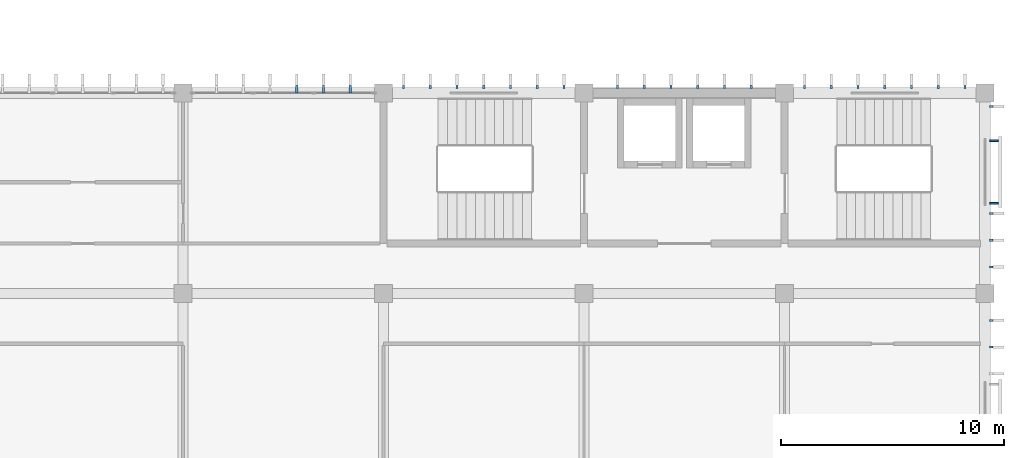
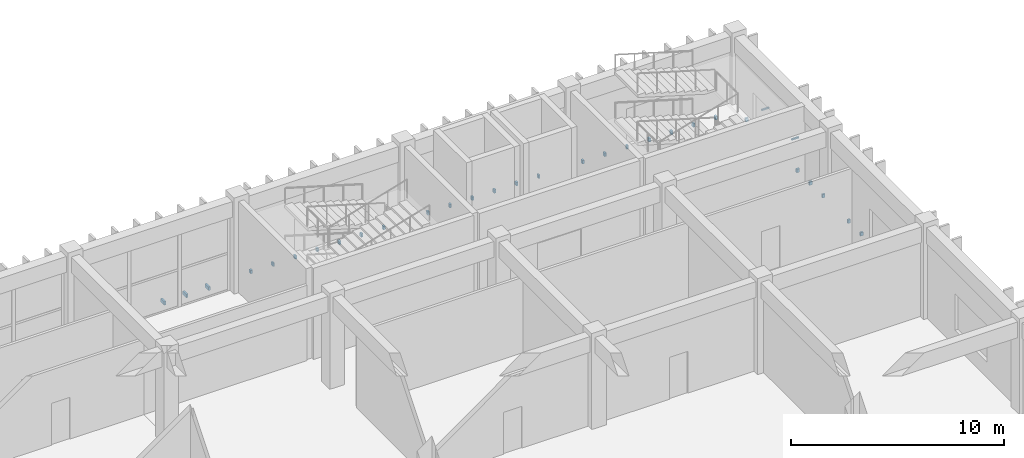
# One storey, part 163 of 185: 31 discrete accessories.
"""IFC4 building model written with IfcOpenShell, lengths in metres."""

from ifc_helpers import new_model, si_unit, direction, frame, origin, origin_2d, place, context, subcontext, project, spatial, rectangle, extrude, material, type_object, element, save


model = new_model("IFC4")

# Units and contexts
model_context = context("Model", 3, precision=1e-05, world=origin(), true_north=direction((0.0, 1.0)))
body_context = subcontext(model_context, "Body", "Model", "MODEL_VIEW")
ifc_project = project(units=[si_unit("LENGTHUNIT", "METRE"), si_unit("AREAUNIT", "SQUARE_METRE"), si_unit("VOLUMEUNIT", "CUBIC_METRE"), si_unit("PLANEANGLEUNIT", "RADIAN"), si_unit("MASSUNIT", "GRAM", prefix="KILO")], contexts=[model_context])

# Site, building, storey
site_placement = place(None, origin())
site = spatial("IfcSite", under=ifc_project, at=site_placement, CompositionType="ELEMENT")
building_placement = place(site_placement, origin())
building = spatial("IfcBuilding", under=site, at=building_placement, Name="Opaline Strait Convention Centre", CompositionType="ELEMENT")
storey_placement = place(building_placement, frame((0.0, 0.0, 6.0)))
storey = spatial("IfcBuildingStorey", under=building, at=storey_placement, Name="L01", CompositionType="ELEMENT", Elevation=6.0)

# Discrete accessories
ifc_material = material(Name="Stainless steel 304", Category="steel")
discrete_accessory_type_1 = type_object("IfcDiscreteAccessoryType", Name="Fin bracket 150 stainless steel", PredefinedType="BRACKET", material=ifc_material)
for number, where, z_axis, x_axis, name in (
    (1, (329.10009765625, 180.181884765625, 0.35009765625), (0.0, 0.0, 1.0), (1.0, 0.0, 0.0), "Fin bracket"),
    (2, (330.300048828125, 180.181884765625, 0.35009765625), (0.0, 0.0, 1.0), (1.0, 0.0, 0.0), "Fin bracket"),
    (3, (331.5, 180.181884765625, 0.35009765625), (0.0, 0.0, 1.0), (1.0, 0.0, 0.0), "Fin bracket"),
):
    element("IfcDiscreteAccessory", number, at=place(storey_placement, frame(where, z_axis=z_axis, x_axis=x_axis)), inside=storey, type_object=discrete_accessory_type_1, Name=name, PredefinedType="BRACKET", context=body_context, shape_type="SweptSolid", body=[
        extrude(rectangle(XDim=0.10009765625, YDim=0.3359375, at=origin_2d()), origin(), (0.0, 0.0, 1.0), 0.199951171875),
    ])
for number, where, z_axis, x_axis, name in (
    (4, (333.89990234375, 180.27490234375, 0.35009765625), (0.0, 0.0, 1.0), (1.0, 0.0, 0.0), "Fin bracket"),
    (5, (335.10009765625, 180.27490234375, 0.35009765625), (0.0, 0.0, 1.0), (1.0, 0.0, 0.0), "Fin bracket"),
    (6, (336.300048828125, 180.27490234375, 0.35009765625), (0.0, 0.0, 1.0), (1.0, 0.0, 0.0), "Fin bracket"),
    (7, (337.5, 180.27490234375, 0.35009765625), (0.0, 0.0, 1.0), (1.0, 0.0, 0.0), "Fin bracket"),
    (8, (338.699951171875, 180.27490234375, 0.35009765625), (0.0, 0.0, 1.0), (1.0, 0.0, 0.0), "Fin bracket"),
    (9, (339.89990234375, 180.27490234375, 0.35009765625), (0.0, 0.0, 1.0), (1.0, 0.0, 0.0), "Fin bracket"),
    (10, (341.10009765625, 180.27490234375, 0.35009765625), (0.0, 0.0, 1.0), (1.0, 0.0, 0.0), "Fin bracket"),
    (11, (343.5, 180.27490234375, 0.35009765625), (0.0, 0.0, 1.0), (1.0, 0.0, 0.0), "Fin bracket"),
    (12, (344.699951171875, 180.27490234375, 0.35009765625), (0.0, 0.0, 1.0), (1.0, 0.0, 0.0), "Fin bracket"),
    (13, (345.89990234375, 180.27490234375, 0.35009765625), (0.0, 0.0, 1.0), (1.0, 0.0, 0.0), "Fin bracket"),
    (14, (347.10009765625, 180.27490234375, 0.35009765625), (0.0, 0.0, 1.0), (1.0, 0.0, 0.0), "Fin bracket"),
    (15, (348.300048828125, 180.27490234375, 0.35009765625), (0.0, 0.0, 1.0), (1.0, 0.0, 0.0), "Fin bracket"),
    (16, (349.5, 180.27490234375, 0.35009765625), (0.0, 0.0, 1.0), (1.0, 0.0, 0.0), "Fin bracket"),
    (17, (351.89990234375, 180.27490234375, 0.35009765625), (0.0, 0.0, 1.0), (1.0, 0.0, 0.0), "Fin bracket"),
    (18, (353.10009765625, 180.27490234375, 0.35009765625), (0.0, 0.0, 1.0), (1.0, 0.0, 0.0), "Fin bracket"),
    (19, (354.300048828125, 180.27490234375, 0.35009765625), (0.0, 0.0, 1.0), (1.0, 0.0, 0.0), "Fin bracket"),
    (20, (355.5, 180.27490234375, 0.35009765625), (0.0, 0.0, 1.0), (1.0, 0.0, 0.0), "Fin bracket"),
    (21, (356.699951171875, 180.27490234375, 0.35009765625), (0.0, 0.0, 1.0), (1.0, 0.0, 0.0), "Fin bracket"),
    (22, (357.89990234375, 180.27490234375, 0.35009765625), (0.0, 0.0, 1.0), (1.0, 0.0, 0.0), "Fin bracket"),
    (23, (359.10009765625, 180.27490234375, 0.35009765625), (0.0, 0.0, 1.0), (1.0, 0.0, 0.0), "Fin bracket"),
):
    element("IfcDiscreteAccessory", number, at=place(storey_placement, frame(where, z_axis=z_axis, x_axis=x_axis)), inside=storey, type_object=discrete_accessory_type_1, Name=name, PredefinedType="BRACKET", context=body_context, shape_type="SweptSolid", body=[
        extrude(rectangle(XDim=0.10009765625, YDim=0.14990234375, at=origin_2d()), origin(), (0.0, 0.0, 1.0), 0.199951171875),
    ])
for number, where, z_axis, x_axis, name in (
    (24, (360.27490234375, 168.60009765625, 0.35009765625), (0.0, 0.0, 1.0), (1.0, 0.0, 0.0), "Fin bracket"),
    (25, (360.27490234375, 169.800048828125, 0.35009765625), (0.0, 0.0, 1.0), (1.0, 0.0, 0.0), "Fin bracket"),
    (26, (360.27490234375, 172.199951171875, 0.35009765625), (0.0, 0.0, 1.0), (1.0, 0.0, 0.0), "Fin bracket"),
    (27, (360.27490234375, 173.39990234375, 0.35009765625), (0.0, 0.0, 1.0), (1.0, 0.0, 0.0), "Fin bracket"),
    (28, (360.27490234375, 174.60009765625, 0.35009765625), (0.0, 0.0, 1.0), (1.0, 0.0, 0.0), "Fin bracket"),
    (29, (360.27490234375, 179.39990234375, 0.35009765625), (0.0, 0.0, 1.0), (1.0, 0.0, 0.0), "Fin bracket"),
):
    element("IfcDiscreteAccessory", number, at=place(storey_placement, frame(where, z_axis=z_axis, x_axis=x_axis)), inside=storey, type_object=discrete_accessory_type_1, Name=name, PredefinedType="BRACKET", context=body_context, shape_type="SweptSolid", body=[
        extrude(rectangle(XDim=0.14990234375, YDim=0.10009765625, at=origin_2d()), origin(), (0.0, 0.0, 1.0), 0.199951171875),
    ])
discrete_accessory_type_2 = type_object("IfcDiscreteAccessoryType", Name="Louvre bracket 400 stainless steel", PredefinedType="BRACKET", material=ifc_material)
for number, where, z_axis, x_axis, name in (
    (30, (360.39990234375, 175.0625, 1.909912109375), (0.0, 0.0, 1.0), (1.0, 0.0, 0.0), "Louvre bracket"),
    (31, (360.39990234375, 177.862548828125, 1.909912109375), (0.0, 0.0, 1.0), (1.0, 0.0, 0.0), "Louvre bracket"),
):
    element("IfcDiscreteAccessory", number, at=place(storey_placement, frame(where, z_axis=z_axis, x_axis=x_axis)), inside=storey, type_object=discrete_accessory_type_2, Name=name, PredefinedType="BRACKET", context=body_context, shape_type="SweptSolid", body=[
        extrude(rectangle(XDim=0.39990234375, YDim=0.080078125, at=origin_2d()), origin(), (0.0, 0.0, 1.0), 0.080078125),
    ])

save(model, "model.ifc")
